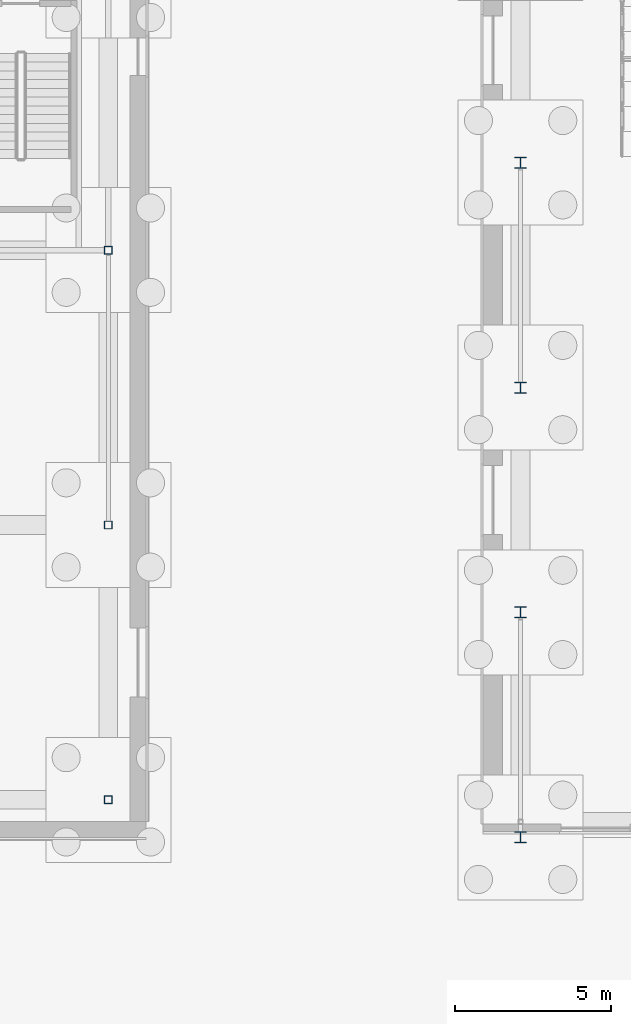
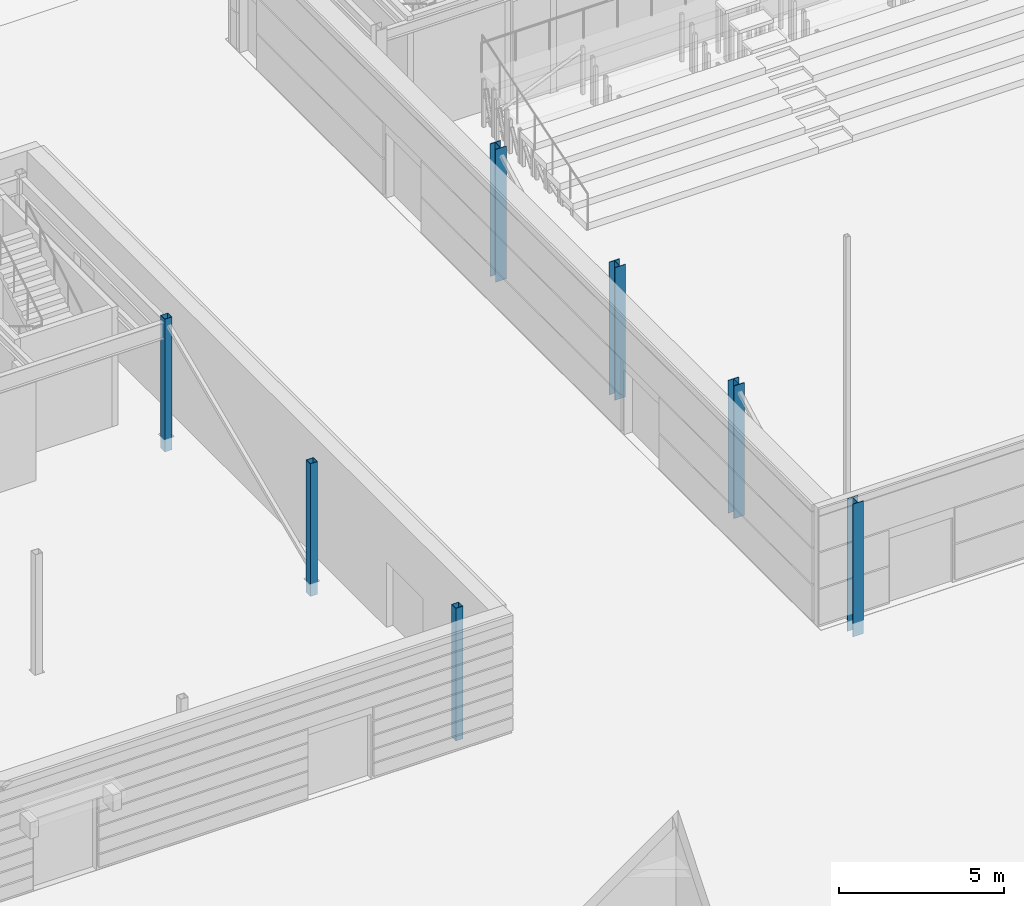
# One storey, part 18 of 139: 7 columns.
"""IFC4 building model written with IfcOpenShell, lengths in metres."""

import ifcopenshell
import ifcopenshell.guid

model = None  # the IFC model being written
_history = None  # IfcOwnerHistory: only IFC2X3 demands one
_inside = {}  # id of a spatial element -> (the spatial element, [elements in it])
_under = {}  # id of a project, library or spatial element -> (it, [spatial elements below it])
_declared = {}  # id of a project -> (the project, [libraries it declares])
_typed = {}  # id of a type object -> (the type object, [elements of that type])
_made_of = {}  # id of a material, layer set ... -> (it, [elements and type objects made of it])


def new_model(schema):
    """Start an empty IFC model of exactly this schema.

    Asked for "IFC4X3", IfcOpenShell would pick the latest addendum, in which some entities
    have other attributes; the version numbers below select the first issue.
    IFC2X3 requires an IfcOwnerHistory on every rooted entity: one is made here for all.
    """
    global model, _history
    if schema == "IFC4X3":
        model = ifcopenshell.file(schema_version=(4, 3, 0, 0))
    else:
        model = ifcopenshell.file(schema=schema)
    _inside.clear()
    _under.clear()
    _declared.clear()
    _typed.clear()
    _made_of.clear()
    _history = None
    if model.schema == "IFC2X3":
        org = make("IfcOrganization", Name="unknown")
        user = make(
            "IfcPersonAndOrganization",
            ThePerson=make("IfcPerson", FamilyName="unknown"),
            TheOrganization=org,
        )
        app = make(
            "IfcApplication",
            ApplicationDeveloper=org,
            Version="unknown",
            ApplicationFullName="unknown",
            ApplicationIdentifier="unknown",
        )
        _history = make(
            "IfcOwnerHistory",
            OwningUser=user,
            OwningApplication=app,
            ChangeAction="ADDED",
            CreationDate=0,
        )
    return model


def make(cls, **values):
    """One entity of the class cls with the attributes given. An attribute that is None is left unset."""
    return model.create_entity(
        cls, **{name: value for name, value in values.items() if value is not None}
    )


def rooted(cls, **values):
    """An entity with a GlobalId (a new one), such as an element, a storey or a relation."""
    return make(cls, GlobalId=ifcopenshell.guid.new(), OwnerHistory=_history, **values)


def si_unit(unit_type, name, prefix=None):
    """IfcSIUnit, for example si_unit("LENGTHUNIT", "METRE", prefix="MILLI")."""
    return make("IfcSIUnit", UnitType=unit_type, Prefix=prefix, Name=name)


def assignment(units):
    """IfcUnitAssignment: the units of a project."""
    return None if units is None else make("IfcUnitAssignment", Units=units)


def point(xyz):
    """IfcCartesianPoint."""
    return None if xyz is None else make("IfcCartesianPoint", Coordinates=xyz)


def direction(xyz):
    """IfcDirection."""
    return None if xyz is None else make("IfcDirection", DirectionRatios=xyz)


def frame(location, z_axis=None, x_axis=None):
    """IfcAxis2Placement3D, a coordinate frame: its origin and axes. An axis left out is left unset."""
    return make(
        "IfcAxis2Placement3D",
        Location=point(location),
        Axis=direction(z_axis),
        RefDirection=direction(x_axis),
    )


def frame_2d(location, x_axis=None):
    """IfcAxis2Placement2D, a coordinate frame in the plane: its origin and x axis."""
    return make(
        "IfcAxis2Placement2D", Location=point(location), RefDirection=direction(x_axis)
    )


def origin():
    """The frame at (0, 0, 0) with its axes left unset."""
    return frame((0.0, 0.0, 0.0))


def origin_2d():
    """The frame at (0, 0) in the plane with its x axis left unset."""
    return frame_2d((0.0, 0.0))


def place(relative_to, where):
    """IfcLocalPlacement: puts the frame where relative to a parent placement (None: the world)."""
    return make(
        "IfcLocalPlacement", PlacementRelTo=relative_to, RelativePlacement=where
    )


def context(
    kind, dimensions, precision=None, world=None, true_north=None, identifier=None
):
    """IfcGeometricRepresentationContext, for example the 3D "Model" context."""
    return make(
        "IfcGeometricRepresentationContext",
        ContextIdentifier=identifier,
        ContextType=kind,
        CoordinateSpaceDimension=dimensions,
        Precision=precision,
        WorldCoordinateSystem=world,
        TrueNorth=true_north,
    )


def subcontext(parent, identifier, kind, view, scale=None):
    """IfcGeometricRepresentationSubContext, for example "Body" below "Model"."""
    return make(
        "IfcGeometricRepresentationSubContext",
        ContextIdentifier=identifier,
        ContextType=kind,
        ParentContext=parent,
        TargetScale=scale,
        TargetView=view,
    )


def project(units=None, contexts=None):
    """IfcProject with its units and contexts."""
    return rooted(
        "IfcProject",
        Name="project",
        RepresentationContexts=contexts,
        UnitsInContext=assignment(units),
    )


def spatial(cls, under=None, at=None, **own):
    """A site, building, storey or space (cls), placed at a placement, below another one or the project."""
    s = rooted(cls, ObjectPlacement=at, **own)
    if under is not None:
        _under.setdefault(under.id(), (under, []))[1].append(s)
    return s


def profile(cls, at=None, kind="AREA", **sizes):
    """A parametric profile (cls). Its sizes go by their IFC names, for example OverallWidth=200.0."""
    return make(cls, ProfileType=kind, Position=at, **sizes)


def hollow_rectangle(**sizes):
    """IfcRectangleHollowProfileDef."""
    return profile("IfcRectangleHollowProfileDef", **sizes)


def i_section(**sizes):
    """IfcIShapeProfileDef."""
    return profile("IfcIShapeProfileDef", **sizes)


def extrude(swept, where, along, depth):
    """IfcExtrudedAreaSolid: the profile swept, set in the frame where, extruded along a direction by depth."""
    return make(
        "IfcExtrudedAreaSolid",
        SweptArea=swept,
        Position=where,
        ExtrudedDirection=direction(along),
        Depth=depth,
    )


def shape(context_of_items, identifier, shape_type, items):
    """IfcShapeRepresentation: the items that make up one representation, for example the "Body"."""
    return make(
        "IfcShapeRepresentation",
        ContextOfItems=context_of_items,
        RepresentationIdentifier=identifier,
        RepresentationType=shape_type,
        Items=items,
    )


def material(Name=None, Category=None):
    """IfcMaterial."""
    return make("IfcMaterial", Name=Name, Category=Category)


def material_profile(
    of_material, cross_section, Name=None, Category=None, Priority=None
):
    """IfcMaterialProfile: a cross section and its material."""
    return make(
        "IfcMaterialProfile",
        Name=Name,
        Material=of_material,
        Profile=cross_section,
        Priority=Priority,
        Category=Category,
    )


def profile_set(profiles, Name=None, composite=None):
    """IfcMaterialProfileSet."""
    return make(
        "IfcMaterialProfileSet",
        Name=Name,
        MaterialProfiles=profiles,
        CompositeProfile=composite,
    )


def made_of(thing, what):
    """Note that an element or type object is made of a material, layer set ...; save() writes the relation."""
    if what is not None:
        _made_of.setdefault(what.id(), (what, []))[1].append(thing)
    return thing


def type_object(cls, material=None, **own):
    """A type object (cls), such as IfcWallType, which elements share."""
    return made_of(rooted(cls, **own), material)


def element(
    cls,
    number,
    at=None,
    inside=None,
    cuts=None,
    type_object=None,
    material=None,
    context=None,
    identifier="Body",
    shape_type=None,
    held_by="IfcProductDefinitionShape",
    body=None,
    shapes=None,
    **own,
):
    """One element of the class cls, such as IfcWall. Its Tag is "e" and its number.

    at: its placement. inside: the storey or other place that contains it. cuts: it is an
    opening in that element (IfcRelVoidsElement). A single representation is given by context,
    identifier, shape_type and body (its items); several are given by shapes. held_by: the class
    of the entity that holds the representations. save() writes the other relations.
    """
    e = rooted(cls, Tag="e%d" % number, ObjectPlacement=at, **own)
    if body is not None:
        shapes = [shape(context, identifier, shape_type, body)]
    if shapes is not None:
        e.Representation = make(held_by, Representations=shapes)
    if inside is not None:
        _inside.setdefault(inside.id(), (inside, []))[1].append(e)
    if cuts is not None:
        rooted(
            "IfcRelVoidsElement", RelatingBuildingElement=cuts, RelatedOpeningElement=e
        )
    if type_object is not None:
        _typed.setdefault(type_object.id(), (type_object, []))[1].append(e)
    return made_of(e, material)


def aggregate(whole, parts):
    """IfcRelAggregates: a whole, such as a stair, and the parts it consists of."""
    return rooted("IfcRelAggregates", RelatingObject=whole, RelatedObjects=parts)


def save(model, path):
    """Write the relations noted so far, then the file.

    IfcRelAggregates (storeys below a building ...), IfcRelContainedInSpatialStructure (elements
    in a storey), IfcRelDefinesByType, IfcRelAssociatesMaterial and IfcRelDeclares: one each for
    every whole, place, type object, material and project.
    """
    for whole, parts in _under.values():
        aggregate(whole, parts)
    for where, things in _inside.values():
        rooted(
            "IfcRelContainedInSpatialStructure",
            RelatedElements=things,
            RelatingStructure=where,
        )
    for kind, things in _typed.values():
        rooted("IfcRelDefinesByType", RelatedObjects=things, RelatingType=kind)
    for what, things in _made_of.values():
        rooted("IfcRelAssociatesMaterial", RelatedObjects=things, RelatingMaterial=what)
    for by, libraries in _declared.values():
        rooted("IfcRelDeclares", RelatingContext=by, RelatedDefinitions=libraries)
    model.write(path)


model = new_model("IFC4")

# Units and contexts
model_context = context("Model", 3, precision=1e-05, world=origin(), true_north=direction((0.0, 1.0)))
body_context = subcontext(model_context, "Body", "Model", "MODEL_VIEW")
ifc_project = project(units=[si_unit("LENGTHUNIT", "METRE"), si_unit("AREAUNIT", "SQUARE_METRE"), si_unit("VOLUMEUNIT", "CUBIC_METRE"), si_unit("PLANEANGLEUNIT", "RADIAN"), si_unit("MASSUNIT", "GRAM", prefix="KILO")], contexts=[model_context])

# Site, building, storey
site_placement = place(None, origin())
site = spatial("IfcSite", under=ifc_project, at=site_placement, CompositionType="ELEMENT")
building_placement = place(site_placement, origin())
building = spatial("IfcBuilding", under=site, at=building_placement, Name="Verrick Yard Athletic Hall", CompositionType="ELEMENT")
storey_placement = place(building_placement, origin())
storey = spatial("IfcBuildingStorey", under=building, at=storey_placement, Name="L00", CompositionType="ELEMENT", Elevation=0.0)

# Columns
ifc_material_1 = material(Name="Structural steel HSS Class C 350W (CSA G40.20/G40.21)", Category="steel")
ifc_material_profile_1 = material_profile(ifc_material_1, hollow_rectangle(XDim=0.25390625, YDim=0.25390625, WallThickness=0.0126953125, at=origin_2d()), Name="HSS254x254x13")
ifc_profile_set_1 = profile_set([ifc_material_profile_1], Name="Structural steel HSS Class C 350W (CSA G40.20/G40.21)")
column_type_1 = type_object("IfcColumnType", Name="HB column HSS254x254x13", PredefinedType="COLUMN", material=ifc_profile_set_1)
for number, where, z_axis, x_axis, name in (
    (1, (108.39990234375, 73.199951171875, -0.5), (0.0, 0.0, 1.0), (1.0, 0.0, 0.0), "HB-C-CH31-L00"),
    (2, (108.39990234375, 82.0, -0.5), (0.0, 0.0, 1.0), (1.0, 0.0, 0.0), "HB-C-CH32-L00"),
    (3, (108.39990234375, 90.800048828125, -0.5), (0.0, 0.0, 1.0), (1.0, 0.0, 0.0), "HB-C-CH33-L00"),
):
    element("IfcColumn", number, at=place(storey_placement, frame(where, z_axis=z_axis, x_axis=x_axis)), inside=storey, type_object=column_type_1, Name=name, PredefinedType="COLUMN", context=body_context, shape_type="SweptSolid", body=[
        extrude(hollow_rectangle(XDim=0.25390625, YDim=0.25390625, WallThickness=0.0126953125, at=origin_2d()), origin(), (0.0, 0.0, 1.0), 4.89990234375),
    ])
ifc_material_2 = material(Name="Structural steel 350W (CSA G40.21)", Category="steel")
ifc_material_profile_2 = material_profile(ifc_material_2, i_section(OverallWidth=0.368896484375, OverallDepth=0.35595703125, WebThickness=0.01123046875, FlangeThickness=0.01806640625, at=origin_2d()), Name="W360x134")
ifc_profile_set_2 = profile_set([ifc_material_profile_2], Name="Structural steel 350W (CSA G40.21)")
column_type_2 = type_object("IfcColumnType", Name="HB column W360x134", PredefinedType="COLUMN", material=ifc_profile_set_2)
for number, where, z_axis, x_axis, name in (
    (4, (121.60009765625, 72.0, -0.5), (0.0, 0.0, 1.0), (1.0, 0.0, 0.0), "HB-C-HAW1-L00"),
    (5, (121.60009765625, 79.199951171875, -0.5), (0.0, 0.0, 1.0), (1.0, 0.0, 0.0), "HB-C-HAW2-L00"),
    (6, (121.60009765625, 86.39990234375, -0.5), (0.0, 0.0, 1.0), (1.0, 0.0, 0.0), "HB-C-HAW3-L00"),
    (7, (121.60009765625, 93.60009765625, -0.5), (0.0, 0.0, 1.0), (1.0, 0.0, 0.0), "HB-C-HAW4-L00"),
):
    element("IfcColumn", number, at=place(storey_placement, frame(where, z_axis=z_axis, x_axis=x_axis)), inside=storey, type_object=column_type_2, Name=name, PredefinedType="COLUMN", context=body_context, shape_type="SweptSolid", body=[
        extrude(i_section(OverallWidth=0.368896484375, OverallDepth=0.35595703125, WebThickness=0.01123046875, FlangeThickness=0.01806640625, at=origin_2d()), origin(), (0.0, 0.0, 1.0), 4.89990234375),
    ])

save(model, "model.ifc")
